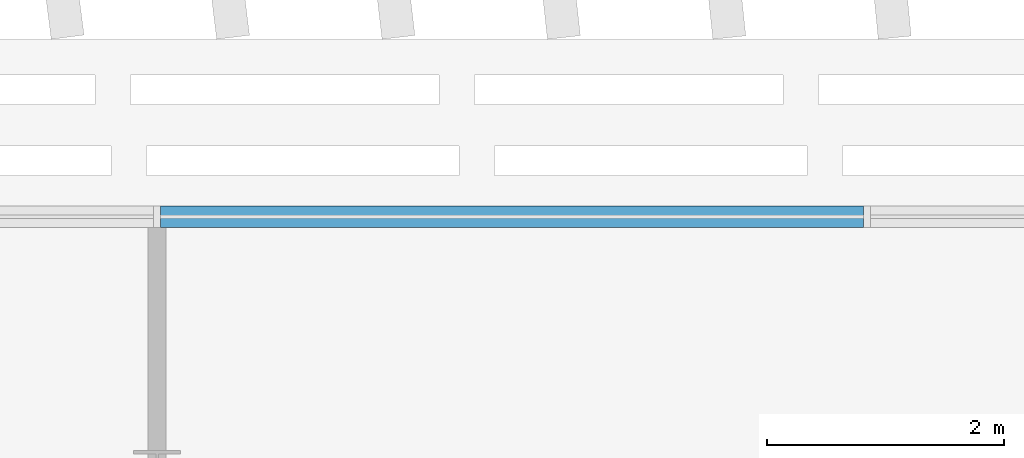
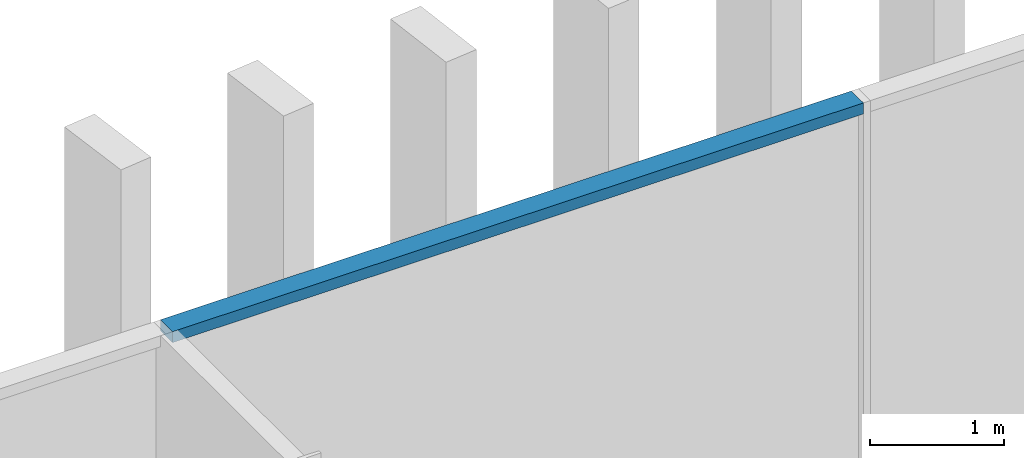
# One storey, part 11 of 32: 1 member, 1 element without a shape of its own.
"""IFC4 building model written with IfcOpenShell, lengths in metres."""

from ifc_helpers import new_model, si_unit, direction, frame, origin, origin_2d, place, context, subcontext, project, spatial, rectangle, extrude, material, material_profile, profile_set, type_object, element, aggregate, save


model = new_model("IFC4")

# Units and contexts
model_context = context("Model", 3, precision=1e-05, world=origin(), true_north=direction((0.0, 1.0)))
body_context = subcontext(model_context, "Body", "Model", "MODEL_VIEW")
ifc_project = project(units=[si_unit("LENGTHUNIT", "METRE"), si_unit("AREAUNIT", "SQUARE_METRE"), si_unit("VOLUMEUNIT", "CUBIC_METRE"), si_unit("PLANEANGLEUNIT", "RADIAN"), si_unit("MASSUNIT", "GRAM", prefix="KILO")], contexts=[model_context])

# Site, building, storey
site_placement = place(None, origin())
site = spatial("IfcSite", under=ifc_project, at=site_placement, CompositionType="ELEMENT")
building_placement = place(site_placement, origin())
building = spatial("IfcBuilding", under=site, at=building_placement, Name="Mahtab Terrace Research Tower", CompositionType="ELEMENT")
storey_placement = place(building_placement, frame((0.0, 0.0, 232.39990234375)))
storey = spatial("IfcBuildingStorey", under=building, at=storey_placement, Name="L56", CompositionType="ELEMENT", Elevation=232.39990234375)

# Curtain wall, member
ifc_material_1 = material(Name="Office ribbon curtain wall")
curtain_wall_type = type_object("IfcCurtainWallType", Name="Office ribbon curtain wall", PredefinedType="NOTDEFINED", material=ifc_material_1)
curtain_wall_placement = place(storey_placement, origin())
curtain_wall = element("IfcCurtainWall", 1, at=curtain_wall_placement, inside=storey, type_object=curtain_wall_type, Name="EN.L56.3.3", PredefinedType="NOTDEFINED")
ifc_material_2 = material(Name="Natural anodised aluminium", Category="aluminium")
ifc_material_profile = material_profile(ifc_material_2, rectangle(XDim=0.179931640625, YDim=0.10009765625, at=origin_2d()), Name="TRANSOM 100x180")
ifc_profile_set = profile_set([ifc_material_profile], Name="Natural anodised aluminium")
member_type = type_object("IfcMemberType", Name="Office ribbon curtain wall transom", PredefinedType="USERDEFINED", material=ifc_profile_set)
member_placement = place(storey_placement, frame((23.969970703125, 28.638916015625, 3.41015625), z_axis=(-1.0, 0.0, 0.0), x_axis=(0.0, -1.0, 0.0)))
member = element("IfcMember", 2, at=member_placement, type_object=member_type, Name="CWO-7 transom 5", ObjectType="TRANSOM", PredefinedType="USERDEFINED", context=body_context, shape_type="SweptSolid", body=[
    extrude(rectangle(XDim=0.179931640625, YDim=0.10009765625, at=origin_2d()), origin(), (0.0, 0.0, 1.0), 5.93994140625),
])
aggregate(curtain_wall, [member])

save(model, "model.ifc")
